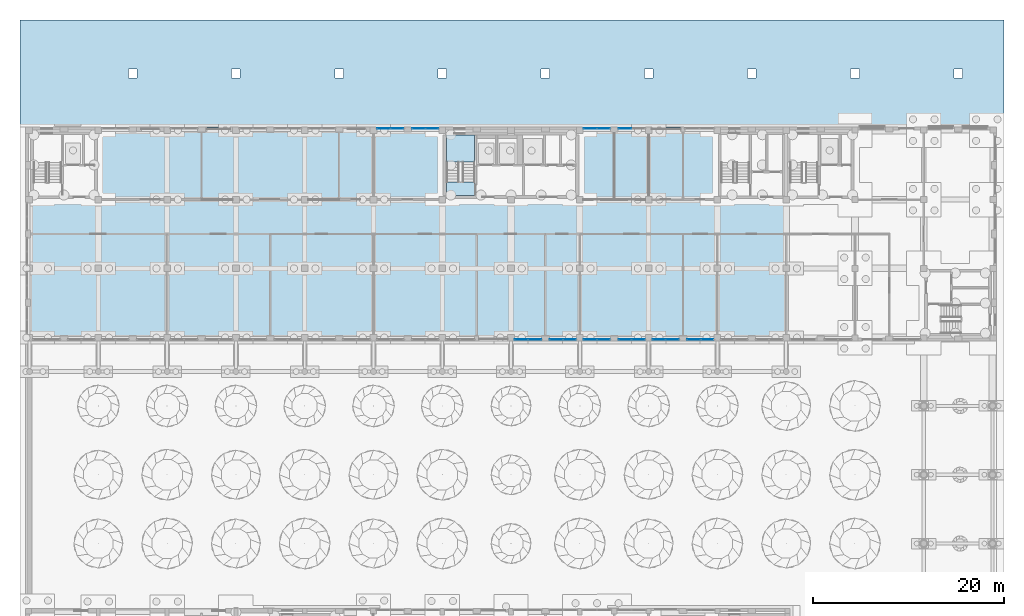
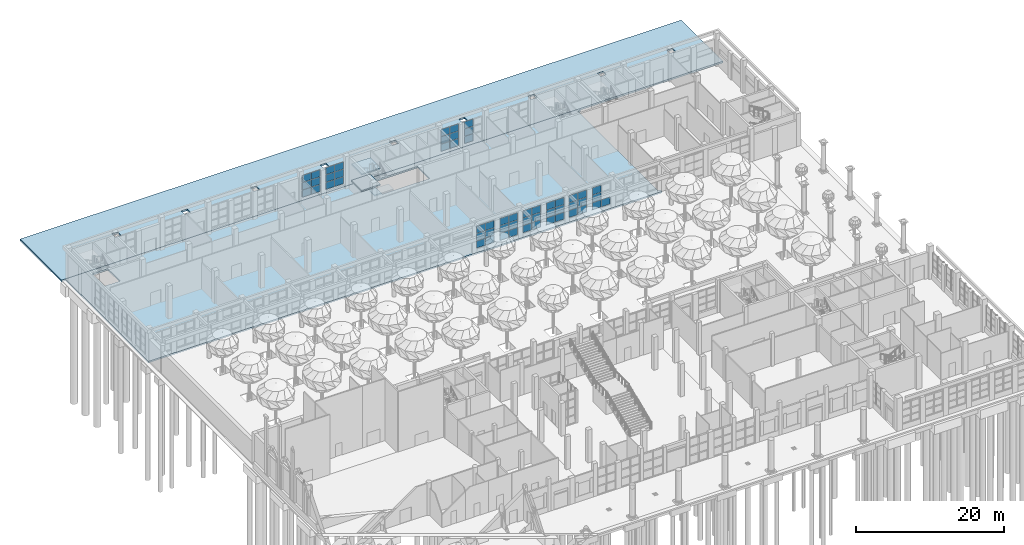
# One storey, part 38 of 80: 55 plates, 5 slabs, 11 elements without a shape of their own.
"""IFC4 building model written with IfcOpenShell, lengths in metres."""

from ifc_helpers import new_model, si_unit, direction, frame, origin, origin_2d, place, context, subcontext, project, spatial, polyline, rectangle, outline, extrude, material, layer, layer_set, type_object, element, aggregate, save


model = new_model("IFC4")

# Units and contexts
model_context = context("Model", 3, precision=1e-05, world=origin(), true_north=direction((0.0, 1.0)))
body_context = subcontext(model_context, "Body", "Model", "MODEL_VIEW")
ifc_project = project(units=[si_unit("LENGTHUNIT", "METRE"), si_unit("AREAUNIT", "SQUARE_METRE"), si_unit("VOLUMEUNIT", "CUBIC_METRE"), si_unit("PLANEANGLEUNIT", "RADIAN"), si_unit("MASSUNIT", "GRAM", prefix="KILO")], contexts=[model_context])

# Site, building, storey
site_placement = place(None, origin())
site = spatial("IfcSite", under=ifc_project, at=site_placement, CompositionType="ELEMENT")
building_placement = place(site_placement, origin())
building = spatial("IfcBuilding", under=site, at=building_placement, Name="Ussher Court Research Institute", CompositionType="ELEMENT")
storey_placement = place(building_placement, origin())
storey = spatial("IfcBuildingStorey", under=building, at=storey_placement, Name="L00", CompositionType="ELEMENT", Elevation=0.0)

# Slabs
ifc_material_1 = material(Name="Precast concrete C30/37 paving", Category="concrete")
ifc_layer_1 = layer(ifc_material_1, 0.280029296875)
ifc_layer_set_1 = layer_set([ifc_layer_1], Name="Precast concrete C30/37 paving")
slab_type_1 = type_object("IfcSlabType", Name="External paving slab 280 lorry yard", PredefinedType="BASESLAB", material=ifc_layer_set_1)
slab_1_placement = place(storey_placement, frame((0.0, 0.0, -0.280029296875)))
element("IfcSlab", 1, at=slab_1_placement, inside=storey, type_object=slab_type_1, Name="Service yard paving", PredefinedType="BASESLAB", context=body_context, shape_type="SweptSolid", body=[
    extrude(outline(polyline([(105.0, 102.0), (2.0, 102.0), (2.0, 90.800048828125), (2.60009765625, 90.800048828125), (10.60009765625, 90.800048828125), (45.800048828125, 90.800048828125), (61.0, 90.800048828125), (74.60009765625, 90.800048828125), (81.800048828125, 90.800048828125), (82.60009765625, 90.800048828125), (89.800048828125, 90.800048828125), (104.199951171875, 90.800048828125), (105.0, 90.800048828125), (105.0, 102.0)]), holes=[polyline([(13.35009765625, 96.85009765625), (14.25, 96.85009765625), (14.25, 95.949951171875), (13.35009765625, 95.949951171875), (13.35009765625, 96.85009765625)]), polyline([(24.14990234375, 96.85009765625), (25.050048828125, 96.85009765625), (25.050048828125, 95.949951171875), (24.14990234375, 95.949951171875), (24.14990234375, 96.85009765625)]), polyline([(34.949951171875, 96.85009765625), (35.85009765625, 96.85009765625), (35.85009765625, 95.949951171875), (34.949951171875, 95.949951171875), (34.949951171875, 96.85009765625)]), polyline([(45.75, 96.85009765625), (46.64990234375, 96.85009765625), (46.64990234375, 95.949951171875), (45.75, 95.949951171875), (45.75, 96.85009765625)]), polyline([(56.550048828125, 96.85009765625), (57.449951171875, 96.85009765625), (57.449951171875, 95.949951171875), (56.550048828125, 95.949951171875), (56.550048828125, 96.85009765625)]), polyline([(67.35009765625, 96.85009765625), (68.25, 96.85009765625), (68.25, 95.949951171875), (67.35009765625, 95.949951171875), (67.35009765625, 96.85009765625)]), polyline([(78.14990234375, 96.85009765625), (79.050048828125, 96.85009765625), (79.050048828125, 95.949951171875), (78.14990234375, 95.949951171875), (78.14990234375, 96.85009765625)]), polyline([(89.85009765625, 96.85009765625), (89.85009765625, 95.949951171875), (88.949951171875, 95.949951171875), (88.949951171875, 96.85009765625), (89.85009765625, 96.85009765625)]), polyline([(100.64990234375, 96.85009765625), (100.64990234375, 95.949951171875), (99.75, 95.949951171875), (99.75, 96.85009765625), (100.64990234375, 96.85009765625)])]), origin(), (0.0, 0.0, 1.0), 0.280029296875),
])
ifc_material_2 = material(Name="Concrete C35/45", Category="concrete")
ifc_layer_2 = layer(ifc_material_2, 0.25)
ifc_layer_set_2 = layer_set([ifc_layer_2], Name="Concrete C35/45")
slab_type_2 = type_object("IfcSlabType", Name="Ground slab 250", PredefinedType="BASESLAB", material=ifc_layer_set_2)
slab_2_placement = place(storey_placement, frame((0.0, 0.0, -0.25)))
element("IfcSlab", 2, at=slab_2_placement, inside=storey, type_object=slab_type_2, Name="GS250 V5 L00-01", PredefinedType="BASESLAB", context=body_context, shape_type="SweptSolid", body=[
    extrude(outline(polyline([(82.60009765625, 90.800048828125), (2.60009765625, 90.800048828125), (2.60009765625, 68.39990234375), (82.60009765625, 68.39990234375), (82.60009765625, 68.800048828125), (82.199951171875, 68.800048828125), (82.199951171875, 90.39990234375), (82.60009765625, 90.39990234375), (82.60009765625, 90.800048828125)]), holes=[polyline([(57.0, 89.949951171875), (57.0, 86.699951171875), (49.60009765625, 86.699951171875), (49.60009765625, 89.949951171875), (57.0, 89.949951171875)]), polyline([(8.75, 90.0), (8.75, 86.699951171875), (6.35009765625, 86.699951171875), (6.35009765625, 90.0), (8.75, 90.0)])]), origin(), (0.0, 0.0, 1.0), 0.25),
])

# Curtain wall, plates
ifc_material_3 = material(Name="Bronze anodised aluminium with laminated safety glass", Category="aluminium")
ifc_layer_3 = layer(ifc_material_3, 0.1201171875)
ifc_layer_set_3 = layer_set([ifc_layer_3], Name="Bronze anodised aluminium with laminated safety glass")
curtain_wall_type = type_object("IfcCurtainWallType", Name="Curtain wall dry laboratory base storefront", PredefinedType="NOTDEFINED", material=ifc_layer_set_3)
curtain_wall_1_placement = place(storey_placement, origin())
curtain_wall_1 = element("IfcCurtainWall", 3, at=curtain_wall_1_placement, inside=storey, type_object=curtain_wall_type, Name="Curtain wall CW4 L00", PredefinedType="NOTDEFINED")
ifc_material_4 = material(Name="Laminated safety glass", Category="glass")
ifc_layer_4 = layer(ifc_material_4, 0.02099609375)
ifc_layer_set_4 = layer_set([ifc_layer_4], Name="Laminated safety glass")
plate_type = type_object("IfcPlateType", Name="Laminated safety glazing panel 21 mm", PredefinedType="CURTAIN_PANEL", material=ifc_layer_set_4)
plate_1_placement = place(storey_placement, frame((40.077392578125, 90.64990234375, 0.66015625), z_axis=(0.0, 0.0, 1.0), x_axis=(1.0, 0.0, 0.0)))
plate_1 = element("IfcPlate", 4, at=plate_1_placement, type_object=plate_type, Name="CW4 panel 1.1", PredefinedType="CURTAIN_PANEL", context=body_context, shape_type="SweptSolid", body=[
    extrude(rectangle(XDim=1.3349609375, YDim=0.02099609375, at=origin_2d()), origin(), (0.0, 0.0, 1.0), 1.143310546875),
])
plate_2_placement = place(storey_placement, frame((40.077392578125, 90.64990234375, 1.86328125), z_axis=(0.0, 0.0, 1.0), x_axis=(1.0, 0.0, 0.0)))
plate_2 = element("IfcPlate", 5, at=plate_2_placement, type_object=plate_type, Name="CW4 panel 1.2", PredefinedType="CURTAIN_PANEL", context=body_context, shape_type="SweptSolid", body=[
    extrude(rectangle(XDim=1.3349609375, YDim=0.02099609375, at=origin_2d()), origin(), (0.0, 0.0, 1.0), 1.17333984375),
])
plate_3_placement = place(storey_placement, frame((40.077392578125, 90.64990234375, 3.0966796875), z_axis=(0.0, 0.0, 1.0), x_axis=(1.0, 0.0, 0.0)))
plate_3 = element("IfcPlate", 6, at=plate_3_placement, type_object=plate_type, Name="CW4 panel 1.3", PredefinedType="CURTAIN_PANEL", context=body_context, shape_type="SweptSolid", body=[
    extrude(rectangle(XDim=1.3349609375, YDim=0.02099609375, at=origin_2d()), origin(), (0.0, 0.0, 1.0), 1.143310546875),
])
plate_4_placement = place(storey_placement, frame((41.472412109375, 90.64990234375, 0.66015625), z_axis=(0.0, 0.0, 1.0), x_axis=(1.0, 0.0, 0.0)))
plate_4 = element("IfcPlate", 7, at=plate_4_placement, type_object=plate_type, Name="CW4 panel 2.1", PredefinedType="CURTAIN_PANEL", context=body_context, shape_type="SweptSolid", body=[
    extrude(rectangle(XDim=1.3349609375, YDim=0.02099609375, at=origin_2d()), origin(), (0.0, 0.0, 1.0), 1.143310546875),
])
plate_5_placement = place(storey_placement, frame((41.472412109375, 90.64990234375, 1.86328125), z_axis=(0.0, 0.0, 1.0), x_axis=(1.0, 0.0, 0.0)))
plate_5 = element("IfcPlate", 8, at=plate_5_placement, type_object=plate_type, Name="CW4 panel 2.2", PredefinedType="CURTAIN_PANEL", context=body_context, shape_type="SweptSolid", body=[
    extrude(rectangle(XDim=1.3349609375, YDim=0.02099609375, at=origin_2d()), origin(), (0.0, 0.0, 1.0), 1.17333984375),
])
plate_6_placement = place(storey_placement, frame((41.472412109375, 90.64990234375, 3.0966796875), z_axis=(0.0, 0.0, 1.0), x_axis=(1.0, 0.0, 0.0)))
plate_6 = element("IfcPlate", 9, at=plate_6_placement, type_object=plate_type, Name="CW4 panel 2.3", PredefinedType="CURTAIN_PANEL", context=body_context, shape_type="SweptSolid", body=[
    extrude(rectangle(XDim=1.3349609375, YDim=0.02099609375, at=origin_2d()), origin(), (0.0, 0.0, 1.0), 1.143310546875),
])
aggregate(curtain_wall_1, [plate_1, plate_2, plate_3, plate_4, plate_5, plate_6])

curtain_wall_2_placement = place(storey_placement, origin())
curtain_wall_2 = element("IfcCurtainWall", 10, at=curtain_wall_2_placement, inside=storey, type_object=curtain_wall_type, Name="Curtain wall CW4 L00", PredefinedType="NOTDEFINED")
plate_7_placement = place(storey_placement, frame((43.7275390625, 90.64990234375, 0.66015625), z_axis=(0.0, 0.0, 1.0), x_axis=(1.0, 0.0, 0.0)))
plate_7 = element("IfcPlate", 11, at=plate_7_placement, type_object=plate_type, Name="CW4 panel 1.1", PredefinedType="CURTAIN_PANEL", context=body_context, shape_type="SweptSolid", body=[
    extrude(rectangle(XDim=1.3349609375, YDim=0.02099609375, at=origin_2d()), origin(), (0.0, 0.0, 1.0), 1.143310546875),
])
plate_8_placement = place(storey_placement, frame((43.7275390625, 90.64990234375, 1.86328125), z_axis=(0.0, 0.0, 1.0), x_axis=(1.0, 0.0, 0.0)))
plate_8 = element("IfcPlate", 12, at=plate_8_placement, type_object=plate_type, Name="CW4 panel 1.2", PredefinedType="CURTAIN_PANEL", context=body_context, shape_type="SweptSolid", body=[
    extrude(rectangle(XDim=1.3349609375, YDim=0.02099609375, at=origin_2d()), origin(), (0.0, 0.0, 1.0), 1.17333984375),
])
plate_9_placement = place(storey_placement, frame((43.7275390625, 90.64990234375, 3.0966796875), z_axis=(0.0, 0.0, 1.0), x_axis=(1.0, 0.0, 0.0)))
plate_9 = element("IfcPlate", 13, at=plate_9_placement, type_object=plate_type, Name="CW4 panel 1.3", PredefinedType="CURTAIN_PANEL", context=body_context, shape_type="SweptSolid", body=[
    extrude(rectangle(XDim=1.3349609375, YDim=0.02099609375, at=origin_2d()), origin(), (0.0, 0.0, 1.0), 1.143310546875),
])
plate_10_placement = place(storey_placement, frame((45.12255859375, 90.64990234375, 0.66015625), z_axis=(0.0, 0.0, 1.0), x_axis=(1.0, 0.0, 0.0)))
plate_10 = element("IfcPlate", 14, at=plate_10_placement, type_object=plate_type, Name="CW4 panel 2.1", PredefinedType="CURTAIN_PANEL", context=body_context, shape_type="SweptSolid", body=[
    extrude(rectangle(XDim=1.3349609375, YDim=0.02099609375, at=origin_2d()), origin(), (0.0, 0.0, 1.0), 1.143310546875),
])
plate_11_placement = place(storey_placement, frame((45.12255859375, 90.64990234375, 1.86328125), z_axis=(0.0, 0.0, 1.0), x_axis=(1.0, 0.0, 0.0)))
plate_11 = element("IfcPlate", 15, at=plate_11_placement, type_object=plate_type, Name="CW4 panel 2.2", PredefinedType="CURTAIN_PANEL", context=body_context, shape_type="SweptSolid", body=[
    extrude(rectangle(XDim=1.3349609375, YDim=0.02099609375, at=origin_2d()), origin(), (0.0, 0.0, 1.0), 1.17333984375),
])
plate_12_placement = place(storey_placement, frame((45.12255859375, 90.64990234375, 3.0966796875), z_axis=(0.0, 0.0, 1.0), x_axis=(1.0, 0.0, 0.0)))
plate_12 = element("IfcPlate", 16, at=plate_12_placement, type_object=plate_type, Name="CW4 panel 2.3", PredefinedType="CURTAIN_PANEL", context=body_context, shape_type="SweptSolid", body=[
    extrude(rectangle(XDim=1.3349609375, YDim=0.02099609375, at=origin_2d()), origin(), (0.0, 0.0, 1.0), 1.143310546875),
])
aggregate(curtain_wall_2, [plate_7, plate_8, plate_9, plate_10, plate_11, plate_12])

curtain_wall_3_placement = place(storey_placement, origin())
curtain_wall_3 = element("IfcCurtainWall", 17, at=curtain_wall_3_placement, inside=storey, type_object=curtain_wall_type, Name="Curtain wall CW4 L00", PredefinedType="NOTDEFINED")
plate_13_placement = place(storey_placement, frame((61.677490234375, 90.64990234375, 0.66015625), z_axis=(0.0, 0.0, 1.0), x_axis=(1.0, 0.0, 0.0)))
plate_13 = element("IfcPlate", 18, at=plate_13_placement, type_object=plate_type, Name="CW4 panel 1.1", PredefinedType="CURTAIN_PANEL", context=body_context, shape_type="SweptSolid", body=[
    extrude(rectangle(XDim=1.3349609375, YDim=0.02099609375, at=origin_2d()), origin(), (0.0, 0.0, 1.0), 1.143310546875),
])
plate_14_placement = place(storey_placement, frame((61.677490234375, 90.64990234375, 1.86328125), z_axis=(0.0, 0.0, 1.0), x_axis=(1.0, 0.0, 0.0)))
plate_14 = element("IfcPlate", 19, at=plate_14_placement, type_object=plate_type, Name="CW4 panel 1.2", PredefinedType="CURTAIN_PANEL", context=body_context, shape_type="SweptSolid", body=[
    extrude(rectangle(XDim=1.3349609375, YDim=0.02099609375, at=origin_2d()), origin(), (0.0, 0.0, 1.0), 1.17333984375),
])
plate_15_placement = place(storey_placement, frame((61.677490234375, 90.64990234375, 3.0966796875), z_axis=(0.0, 0.0, 1.0), x_axis=(1.0, 0.0, 0.0)))
plate_15 = element("IfcPlate", 20, at=plate_15_placement, type_object=plate_type, Name="CW4 panel 1.3", PredefinedType="CURTAIN_PANEL", context=body_context, shape_type="SweptSolid", body=[
    extrude(rectangle(XDim=1.3349609375, YDim=0.02099609375, at=origin_2d()), origin(), (0.0, 0.0, 1.0), 1.143310546875),
])
plate_16_placement = place(storey_placement, frame((63.072509765625, 90.64990234375, 0.66015625), z_axis=(0.0, 0.0, 1.0), x_axis=(1.0, 0.0, 0.0)))
plate_16 = element("IfcPlate", 21, at=plate_16_placement, type_object=plate_type, Name="CW4 panel 2.1", PredefinedType="CURTAIN_PANEL", context=body_context, shape_type="SweptSolid", body=[
    extrude(rectangle(XDim=1.3349609375, YDim=0.02099609375, at=origin_2d()), origin(), (0.0, 0.0, 1.0), 1.143310546875),
])
plate_17_placement = place(storey_placement, frame((63.072509765625, 90.64990234375, 1.86328125), z_axis=(0.0, 0.0, 1.0), x_axis=(1.0, 0.0, 0.0)))
plate_17 = element("IfcPlate", 22, at=plate_17_placement, type_object=plate_type, Name="CW4 panel 2.2", PredefinedType="CURTAIN_PANEL", context=body_context, shape_type="SweptSolid", body=[
    extrude(rectangle(XDim=1.3349609375, YDim=0.02099609375, at=origin_2d()), origin(), (0.0, 0.0, 1.0), 1.17333984375),
])
plate_18_placement = place(storey_placement, frame((63.072509765625, 90.64990234375, 3.0966796875), z_axis=(0.0, 0.0, 1.0), x_axis=(1.0, 0.0, 0.0)))
plate_18 = element("IfcPlate", 23, at=plate_18_placement, type_object=plate_type, Name="CW4 panel 2.3", PredefinedType="CURTAIN_PANEL", context=body_context, shape_type="SweptSolid", body=[
    extrude(rectangle(XDim=1.3349609375, YDim=0.02099609375, at=origin_2d()), origin(), (0.0, 0.0, 1.0), 1.143310546875),
])
aggregate(curtain_wall_3, [plate_13, plate_14, plate_15, plate_16, plate_17, plate_18])

curtain_wall_4_placement = place(storey_placement, origin())
curtain_wall_4 = element("IfcCurtainWall", 24, at=curtain_wall_4_placement, inside=storey, type_object=curtain_wall_type, Name="Curtain wall CW4 L00", PredefinedType="NOTDEFINED")
plate_19_placement = place(storey_placement, frame((65.327392578125, 90.64990234375, 0.66015625), z_axis=(0.0, 0.0, 1.0), x_axis=(1.0, 0.0, 0.0)))
plate_19 = element("IfcPlate", 25, at=plate_19_placement, type_object=plate_type, Name="CW4 panel 1.1", PredefinedType="CURTAIN_PANEL", context=body_context, shape_type="SweptSolid", body=[
    extrude(rectangle(XDim=1.3349609375, YDim=0.02099609375, at=origin_2d()), origin(), (0.0, 0.0, 1.0), 1.143310546875),
])
plate_20_placement = place(storey_placement, frame((65.327392578125, 90.64990234375, 1.86328125), z_axis=(0.0, 0.0, 1.0), x_axis=(1.0, 0.0, 0.0)))
plate_20 = element("IfcPlate", 26, at=plate_20_placement, type_object=plate_type, Name="CW4 panel 1.2", PredefinedType="CURTAIN_PANEL", context=body_context, shape_type="SweptSolid", body=[
    extrude(rectangle(XDim=1.3349609375, YDim=0.02099609375, at=origin_2d()), origin(), (0.0, 0.0, 1.0), 1.17333984375),
])
plate_21_placement = place(storey_placement, frame((65.327392578125, 90.64990234375, 3.0966796875), z_axis=(0.0, 0.0, 1.0), x_axis=(1.0, 0.0, 0.0)))
plate_21 = element("IfcPlate", 27, at=plate_21_placement, type_object=plate_type, Name="CW4 panel 1.3", PredefinedType="CURTAIN_PANEL", context=body_context, shape_type="SweptSolid", body=[
    extrude(rectangle(XDim=1.3349609375, YDim=0.02099609375, at=origin_2d()), origin(), (0.0, 0.0, 1.0), 1.143310546875),
])
aggregate(curtain_wall_4, [plate_19, plate_20, plate_21])

curtain_wall_5_placement = place(storey_placement, origin())
curtain_wall_5 = element("IfcCurtainWall", 28, at=curtain_wall_5_placement, inside=storey, type_object=curtain_wall_type, Name="Curtain wall CW4 L00", PredefinedType="NOTDEFINED")
plate_22_placement = place(storey_placement, frame((73.922607421875, 68.550048828125, 0.66015625), z_axis=(0.0, 0.0, 1.0), x_axis=(-1.0, 0.0, 0.0)))
plate_22 = element("IfcPlate", 29, at=plate_22_placement, type_object=plate_type, Name="CW4 panel 1.1", PredefinedType="CURTAIN_PANEL", context=body_context, shape_type="SweptSolid", body=[
    extrude(rectangle(XDim=1.3349609375, YDim=0.02099609375, at=origin_2d()), origin(), (0.0, 0.0, 1.0), 1.143310546875),
])
plate_23_placement = place(storey_placement, frame((72.527587890625, 68.550048828125, 0.66015625), z_axis=(0.0, 0.0, 1.0), x_axis=(-1.0, 0.0, 0.0)))
plate_23 = element("IfcPlate", 30, at=plate_23_placement, type_object=plate_type, Name="CW4 panel 2.1", PredefinedType="CURTAIN_PANEL", context=body_context, shape_type="SweptSolid", body=[
    extrude(rectangle(XDim=1.3349609375, YDim=0.02099609375, at=origin_2d()), origin(), (0.0, 0.0, 1.0), 1.143310546875),
])
plate_24_placement = place(storey_placement, frame((72.527587890625, 68.550048828125, 1.86328125), z_axis=(0.0, 0.0, 1.0), x_axis=(-1.0, 0.0, 0.0)))
plate_24 = element("IfcPlate", 31, at=plate_24_placement, type_object=plate_type, Name="CW4 panel 2.2", PredefinedType="CURTAIN_PANEL", context=body_context, shape_type="SweptSolid", body=[
    extrude(rectangle(XDim=1.3349609375, YDim=0.02099609375, at=origin_2d()), origin(), (0.0, 0.0, 1.0), 1.17333984375),
])
plate_25_placement = place(storey_placement, frame((72.527587890625, 68.550048828125, 3.0966796875), z_axis=(0.0, 0.0, 1.0), x_axis=(-1.0, 0.0, 0.0)))
plate_25 = element("IfcPlate", 32, at=plate_25_placement, type_object=plate_type, Name="CW4 panel 2.3", PredefinedType="CURTAIN_PANEL", context=body_context, shape_type="SweptSolid", body=[
    extrude(rectangle(XDim=1.3349609375, YDim=0.02099609375, at=origin_2d()), origin(), (0.0, 0.0, 1.0), 1.143310546875),
])
aggregate(curtain_wall_5, [plate_22, plate_23, plate_24, plate_25])

curtain_wall_6_placement = place(storey_placement, origin())
curtain_wall_6 = element("IfcCurtainWall", 33, at=curtain_wall_6_placement, inside=storey, type_object=curtain_wall_type, Name="Curtain wall CW4 L00", PredefinedType="NOTDEFINED")
plate_26_placement = place(storey_placement, frame((70.2724609375, 68.550048828125, 0.66015625), z_axis=(0.0, 0.0, 1.0), x_axis=(-1.0, 0.0, 0.0)))
plate_26 = element("IfcPlate", 34, at=plate_26_placement, type_object=plate_type, Name="CW4 panel 1.1", PredefinedType="CURTAIN_PANEL", context=body_context, shape_type="SweptSolid", body=[
    extrude(rectangle(XDim=1.3349609375, YDim=0.02099609375, at=origin_2d()), origin(), (0.0, 0.0, 1.0), 1.143310546875),
])
plate_27_placement = place(storey_placement, frame((70.2724609375, 68.550048828125, 1.86328125), z_axis=(0.0, 0.0, 1.0), x_axis=(-1.0, 0.0, 0.0)))
plate_27 = element("IfcPlate", 35, at=plate_27_placement, type_object=plate_type, Name="CW4 panel 1.2", PredefinedType="CURTAIN_PANEL", context=body_context, shape_type="SweptSolid", body=[
    extrude(rectangle(XDim=1.3349609375, YDim=0.02099609375, at=origin_2d()), origin(), (0.0, 0.0, 1.0), 1.17333984375),
])
plate_28_placement = place(storey_placement, frame((70.2724609375, 68.550048828125, 3.0966796875), z_axis=(0.0, 0.0, 1.0), x_axis=(-1.0, 0.0, 0.0)))
plate_28 = element("IfcPlate", 36, at=plate_28_placement, type_object=plate_type, Name="CW4 panel 1.3", PredefinedType="CURTAIN_PANEL", context=body_context, shape_type="SweptSolid", body=[
    extrude(rectangle(XDim=1.3349609375, YDim=0.02099609375, at=origin_2d()), origin(), (0.0, 0.0, 1.0), 1.143310546875),
])
plate_29_placement = place(storey_placement, frame((68.87744140625, 68.550048828125, 0.66015625), z_axis=(0.0, 0.0, 1.0), x_axis=(-1.0, 0.0, 0.0)))
plate_29 = element("IfcPlate", 37, at=plate_29_placement, type_object=plate_type, Name="CW4 panel 2.1", PredefinedType="CURTAIN_PANEL", context=body_context, shape_type="SweptSolid", body=[
    extrude(rectangle(XDim=1.3349609375, YDim=0.02099609375, at=origin_2d()), origin(), (0.0, 0.0, 1.0), 1.143310546875),
])
plate_30_placement = place(storey_placement, frame((68.87744140625, 68.550048828125, 1.86328125), z_axis=(0.0, 0.0, 1.0), x_axis=(-1.0, 0.0, 0.0)))
plate_30 = element("IfcPlate", 38, at=plate_30_placement, type_object=plate_type, Name="CW4 panel 2.2", PredefinedType="CURTAIN_PANEL", context=body_context, shape_type="SweptSolid", body=[
    extrude(rectangle(XDim=1.3349609375, YDim=0.02099609375, at=origin_2d()), origin(), (0.0, 0.0, 1.0), 1.17333984375),
])
plate_31_placement = place(storey_placement, frame((68.87744140625, 68.550048828125, 3.0966796875), z_axis=(0.0, 0.0, 1.0), x_axis=(-1.0, 0.0, 0.0)))
plate_31 = element("IfcPlate", 39, at=plate_31_placement, type_object=plate_type, Name="CW4 panel 2.3", PredefinedType="CURTAIN_PANEL", context=body_context, shape_type="SweptSolid", body=[
    extrude(rectangle(XDim=1.3349609375, YDim=0.02099609375, at=origin_2d()), origin(), (0.0, 0.0, 1.0), 1.143310546875),
])
aggregate(curtain_wall_6, [plate_26, plate_27, plate_28, plate_29, plate_30, plate_31])

curtain_wall_7_placement = place(storey_placement, origin())
curtain_wall_7 = element("IfcCurtainWall", 40, at=curtain_wall_7_placement, inside=storey, type_object=curtain_wall_type, Name="Curtain wall CW4 L00", PredefinedType="NOTDEFINED")
plate_32_placement = place(storey_placement, frame((66.722412109375, 68.550048828125, 0.66015625), z_axis=(0.0, 0.0, 1.0), x_axis=(-1.0, 0.0, 0.0)))
plate_32 = element("IfcPlate", 41, at=plate_32_placement, type_object=plate_type, Name="CW4 panel 1.1", PredefinedType="CURTAIN_PANEL", context=body_context, shape_type="SweptSolid", body=[
    extrude(rectangle(XDim=1.3349609375, YDim=0.02099609375, at=origin_2d()), origin(), (0.0, 0.0, 1.0), 1.143310546875),
])
plate_33_placement = place(storey_placement, frame((66.722412109375, 68.550048828125, 1.86328125), z_axis=(0.0, 0.0, 1.0), x_axis=(-1.0, 0.0, 0.0)))
plate_33 = element("IfcPlate", 42, at=plate_33_placement, type_object=plate_type, Name="CW4 panel 1.2", PredefinedType="CURTAIN_PANEL", context=body_context, shape_type="SweptSolid", body=[
    extrude(rectangle(XDim=1.3349609375, YDim=0.02099609375, at=origin_2d()), origin(), (0.0, 0.0, 1.0), 1.17333984375),
])
plate_34_placement = place(storey_placement, frame((66.722412109375, 68.550048828125, 3.0966796875), z_axis=(0.0, 0.0, 1.0), x_axis=(-1.0, 0.0, 0.0)))
plate_34 = element("IfcPlate", 43, at=plate_34_placement, type_object=plate_type, Name="CW4 panel 1.3", PredefinedType="CURTAIN_PANEL", context=body_context, shape_type="SweptSolid", body=[
    extrude(rectangle(XDim=1.3349609375, YDim=0.02099609375, at=origin_2d()), origin(), (0.0, 0.0, 1.0), 1.143310546875),
])
plate_35_placement = place(storey_placement, frame((65.327392578125, 68.550048828125, 0.66015625), z_axis=(0.0, 0.0, 1.0), x_axis=(-1.0, 0.0, 0.0)))
plate_35 = element("IfcPlate", 44, at=plate_35_placement, type_object=plate_type, Name="CW4 panel 2.1", PredefinedType="CURTAIN_PANEL", context=body_context, shape_type="SweptSolid", body=[
    extrude(rectangle(XDim=1.3349609375, YDim=0.02099609375, at=origin_2d()), origin(), (0.0, 0.0, 1.0), 1.143310546875),
])
plate_36_placement = place(storey_placement, frame((65.327392578125, 68.550048828125, 1.86328125), z_axis=(0.0, 0.0, 1.0), x_axis=(-1.0, 0.0, 0.0)))
plate_36 = element("IfcPlate", 45, at=plate_36_placement, type_object=plate_type, Name="CW4 panel 2.2", PredefinedType="CURTAIN_PANEL", context=body_context, shape_type="SweptSolid", body=[
    extrude(rectangle(XDim=1.3349609375, YDim=0.02099609375, at=origin_2d()), origin(), (0.0, 0.0, 1.0), 1.17333984375),
])
plate_37_placement = place(storey_placement, frame((65.327392578125, 68.550048828125, 3.0966796875), z_axis=(0.0, 0.0, 1.0), x_axis=(-1.0, 0.0, 0.0)))
plate_37 = element("IfcPlate", 46, at=plate_37_placement, type_object=plate_type, Name="CW4 panel 2.3", PredefinedType="CURTAIN_PANEL", context=body_context, shape_type="SweptSolid", body=[
    extrude(rectangle(XDim=1.3349609375, YDim=0.02099609375, at=origin_2d()), origin(), (0.0, 0.0, 1.0), 1.143310546875),
])
aggregate(curtain_wall_7, [plate_32, plate_33, plate_34, plate_35, plate_36, plate_37])

curtain_wall_8_placement = place(storey_placement, origin())
curtain_wall_8 = element("IfcCurtainWall", 47, at=curtain_wall_8_placement, inside=storey, type_object=curtain_wall_type, Name="Curtain wall CW4 L00", PredefinedType="NOTDEFINED")
plate_38_placement = place(storey_placement, frame((63.072509765625, 68.550048828125, 0.66015625), z_axis=(0.0, 0.0, 1.0), x_axis=(-1.0, 0.0, 0.0)))
plate_38 = element("IfcPlate", 48, at=plate_38_placement, type_object=plate_type, Name="CW4 panel 1.1", PredefinedType="CURTAIN_PANEL", context=body_context, shape_type="SweptSolid", body=[
    extrude(rectangle(XDim=1.3349609375, YDim=0.02099609375, at=origin_2d()), origin(), (0.0, 0.0, 1.0), 1.143310546875),
])
plate_39_placement = place(storey_placement, frame((63.072509765625, 68.550048828125, 1.86328125), z_axis=(0.0, 0.0, 1.0), x_axis=(-1.0, 0.0, 0.0)))
plate_39 = element("IfcPlate", 49, at=plate_39_placement, type_object=plate_type, Name="CW4 panel 1.2", PredefinedType="CURTAIN_PANEL", context=body_context, shape_type="SweptSolid", body=[
    extrude(rectangle(XDim=1.3349609375, YDim=0.02099609375, at=origin_2d()), origin(), (0.0, 0.0, 1.0), 1.17333984375),
])
plate_40_placement = place(storey_placement, frame((63.072509765625, 68.550048828125, 3.0966796875), z_axis=(0.0, 0.0, 1.0), x_axis=(-1.0, 0.0, 0.0)))
plate_40 = element("IfcPlate", 50, at=plate_40_placement, type_object=plate_type, Name="CW4 panel 1.3", PredefinedType="CURTAIN_PANEL", context=body_context, shape_type="SweptSolid", body=[
    extrude(rectangle(XDim=1.3349609375, YDim=0.02099609375, at=origin_2d()), origin(), (0.0, 0.0, 1.0), 1.143310546875),
])
plate_41_placement = place(storey_placement, frame((61.677490234375, 68.550048828125, 0.66015625), z_axis=(0.0, 0.0, 1.0), x_axis=(-1.0, 0.0, 0.0)))
plate_41 = element("IfcPlate", 51, at=plate_41_placement, type_object=plate_type, Name="CW4 panel 2.1", PredefinedType="CURTAIN_PANEL", context=body_context, shape_type="SweptSolid", body=[
    extrude(rectangle(XDim=1.3349609375, YDim=0.02099609375, at=origin_2d()), origin(), (0.0, 0.0, 1.0), 1.143310546875),
])
plate_42_placement = place(storey_placement, frame((61.677490234375, 68.550048828125, 1.86328125), z_axis=(0.0, 0.0, 1.0), x_axis=(-1.0, 0.0, 0.0)))
plate_42 = element("IfcPlate", 52, at=plate_42_placement, type_object=plate_type, Name="CW4 panel 2.2", PredefinedType="CURTAIN_PANEL", context=body_context, shape_type="SweptSolid", body=[
    extrude(rectangle(XDim=1.3349609375, YDim=0.02099609375, at=origin_2d()), origin(), (0.0, 0.0, 1.0), 1.17333984375),
])
plate_43_placement = place(storey_placement, frame((61.677490234375, 68.550048828125, 3.0966796875), z_axis=(0.0, 0.0, 1.0), x_axis=(-1.0, 0.0, 0.0)))
plate_43 = element("IfcPlate", 53, at=plate_43_placement, type_object=plate_type, Name="CW4 panel 2.3", PredefinedType="CURTAIN_PANEL", context=body_context, shape_type="SweptSolid", body=[
    extrude(rectangle(XDim=1.3349609375, YDim=0.02099609375, at=origin_2d()), origin(), (0.0, 0.0, 1.0), 1.143310546875),
])
aggregate(curtain_wall_8, [plate_38, plate_39, plate_40, plate_41, plate_42, plate_43])

curtain_wall_9_placement = place(storey_placement, origin())
curtain_wall_9 = element("IfcCurtainWall", 54, at=curtain_wall_9_placement, inside=storey, type_object=curtain_wall_type, Name="Curtain wall CW4 L00", PredefinedType="NOTDEFINED")
plate_44_placement = place(storey_placement, frame((59.5224609375, 68.550048828125, 0.66015625), z_axis=(0.0, 0.0, 1.0), x_axis=(-1.0, 0.0, 0.0)))
plate_44 = element("IfcPlate", 55, at=plate_44_placement, type_object=plate_type, Name="CW4 panel 1.1", PredefinedType="CURTAIN_PANEL", context=body_context, shape_type="SweptSolid", body=[
    extrude(rectangle(XDim=1.3349609375, YDim=0.02099609375, at=origin_2d()), origin(), (0.0, 0.0, 1.0), 1.143310546875),
])
plate_45_placement = place(storey_placement, frame((59.5224609375, 68.550048828125, 1.86328125), z_axis=(0.0, 0.0, 1.0), x_axis=(-1.0, 0.0, 0.0)))
plate_45 = element("IfcPlate", 56, at=plate_45_placement, type_object=plate_type, Name="CW4 panel 1.2", PredefinedType="CURTAIN_PANEL", context=body_context, shape_type="SweptSolid", body=[
    extrude(rectangle(XDim=1.3349609375, YDim=0.02099609375, at=origin_2d()), origin(), (0.0, 0.0, 1.0), 1.17333984375),
])
plate_46_placement = place(storey_placement, frame((59.5224609375, 68.550048828125, 3.0966796875), z_axis=(0.0, 0.0, 1.0), x_axis=(-1.0, 0.0, 0.0)))
plate_46 = element("IfcPlate", 57, at=plate_46_placement, type_object=plate_type, Name="CW4 panel 1.3", PredefinedType="CURTAIN_PANEL", context=body_context, shape_type="SweptSolid", body=[
    extrude(rectangle(XDim=1.3349609375, YDim=0.02099609375, at=origin_2d()), origin(), (0.0, 0.0, 1.0), 1.143310546875),
])
plate_47_placement = place(storey_placement, frame((58.12744140625, 68.550048828125, 0.66015625), z_axis=(0.0, 0.0, 1.0), x_axis=(-1.0, 0.0, 0.0)))
plate_47 = element("IfcPlate", 58, at=plate_47_placement, type_object=plate_type, Name="CW4 panel 2.1", PredefinedType="CURTAIN_PANEL", context=body_context, shape_type="SweptSolid", body=[
    extrude(rectangle(XDim=1.3349609375, YDim=0.02099609375, at=origin_2d()), origin(), (0.0, 0.0, 1.0), 1.143310546875),
])
plate_48_placement = place(storey_placement, frame((58.12744140625, 68.550048828125, 1.86328125), z_axis=(0.0, 0.0, 1.0), x_axis=(-1.0, 0.0, 0.0)))
plate_48 = element("IfcPlate", 59, at=plate_48_placement, type_object=plate_type, Name="CW4 panel 2.2", PredefinedType="CURTAIN_PANEL", context=body_context, shape_type="SweptSolid", body=[
    extrude(rectangle(XDim=1.3349609375, YDim=0.02099609375, at=origin_2d()), origin(), (0.0, 0.0, 1.0), 1.17333984375),
])
plate_49_placement = place(storey_placement, frame((58.12744140625, 68.550048828125, 3.0966796875), z_axis=(0.0, 0.0, 1.0), x_axis=(-1.0, 0.0, 0.0)))
plate_49 = element("IfcPlate", 60, at=plate_49_placement, type_object=plate_type, Name="CW4 panel 2.3", PredefinedType="CURTAIN_PANEL", context=body_context, shape_type="SweptSolid", body=[
    extrude(rectangle(XDim=1.3349609375, YDim=0.02099609375, at=origin_2d()), origin(), (0.0, 0.0, 1.0), 1.143310546875),
])
aggregate(curtain_wall_9, [plate_44, plate_45, plate_46, plate_47, plate_48, plate_49])

curtain_wall_10_placement = place(storey_placement, origin())
curtain_wall_10 = element("IfcCurtainWall", 61, at=curtain_wall_10_placement, inside=storey, type_object=curtain_wall_type, Name="Curtain wall CW4 L00", PredefinedType="NOTDEFINED")
plate_50_placement = place(storey_placement, frame((55.87255859375, 68.550048828125, 0.66015625), z_axis=(0.0, 0.0, 1.0), x_axis=(-1.0, 0.0, 0.0)))
plate_50 = element("IfcPlate", 62, at=plate_50_placement, type_object=plate_type, Name="CW4 panel 1.1", PredefinedType="CURTAIN_PANEL", context=body_context, shape_type="SweptSolid", body=[
    extrude(rectangle(XDim=1.3349609375, YDim=0.02099609375, at=origin_2d()), origin(), (0.0, 0.0, 1.0), 1.143310546875),
])
plate_51_placement = place(storey_placement, frame((55.87255859375, 68.550048828125, 1.86328125), z_axis=(0.0, 0.0, 1.0), x_axis=(-1.0, 0.0, 0.0)))
plate_51 = element("IfcPlate", 63, at=plate_51_placement, type_object=plate_type, Name="CW4 panel 1.2", PredefinedType="CURTAIN_PANEL", context=body_context, shape_type="SweptSolid", body=[
    extrude(rectangle(XDim=1.3349609375, YDim=0.02099609375, at=origin_2d()), origin(), (0.0, 0.0, 1.0), 1.17333984375),
])
plate_52_placement = place(storey_placement, frame((55.87255859375, 68.550048828125, 3.0966796875), z_axis=(0.0, 0.0, 1.0), x_axis=(-1.0, 0.0, 0.0)))
plate_52 = element("IfcPlate", 64, at=plate_52_placement, type_object=plate_type, Name="CW4 panel 1.3", PredefinedType="CURTAIN_PANEL", context=body_context, shape_type="SweptSolid", body=[
    extrude(rectangle(XDim=1.3349609375, YDim=0.02099609375, at=origin_2d()), origin(), (0.0, 0.0, 1.0), 1.143310546875),
])
plate_53_placement = place(storey_placement, frame((54.4775390625, 68.550048828125, 0.66015625), z_axis=(0.0, 0.0, 1.0), x_axis=(-1.0, 0.0, 0.0)))
plate_53 = element("IfcPlate", 65, at=plate_53_placement, type_object=plate_type, Name="CW4 panel 2.1", PredefinedType="CURTAIN_PANEL", context=body_context, shape_type="SweptSolid", body=[
    extrude(rectangle(XDim=1.3349609375, YDim=0.02099609375, at=origin_2d()), origin(), (0.0, 0.0, 1.0), 1.143310546875),
])
plate_54_placement = place(storey_placement, frame((54.4775390625, 68.550048828125, 1.86328125), z_axis=(0.0, 0.0, 1.0), x_axis=(-1.0, 0.0, 0.0)))
plate_54 = element("IfcPlate", 66, at=plate_54_placement, type_object=plate_type, Name="CW4 panel 2.2", PredefinedType="CURTAIN_PANEL", context=body_context, shape_type="SweptSolid", body=[
    extrude(rectangle(XDim=1.3349609375, YDim=0.02099609375, at=origin_2d()), origin(), (0.0, 0.0, 1.0), 1.17333984375),
])
plate_55_placement = place(storey_placement, frame((54.4775390625, 68.550048828125, 3.0966796875), z_axis=(0.0, 0.0, 1.0), x_axis=(-1.0, 0.0, 0.0)))
plate_55 = element("IfcPlate", 67, at=plate_55_placement, type_object=plate_type, Name="CW4 panel 2.3", PredefinedType="CURTAIN_PANEL", context=body_context, shape_type="SweptSolid", body=[
    extrude(rectangle(XDim=1.3349609375, YDim=0.02099609375, at=origin_2d()), origin(), (0.0, 0.0, 1.0), 1.143310546875),
])
aggregate(curtain_wall_10, [plate_50, plate_51, plate_52, plate_53, plate_54, plate_55])

# Stair, slabs
ifc_material_5 = material(Name="Concrete C35/45", Category="concrete")
stair_type = type_object("IfcStairType", Name="Core stair 32 risers 169 mm x 300 going 1280 wide", PredefinedType="HALF_TURN_STAIR", material=ifc_material_5)
stair_placement = place(storey_placement, origin())
stair = element("IfcStair", 68, at=stair_placement, inside=storey, type_object=stair_type, Name="L00 Stair D2", PredefinedType="HALF_TURN_STAIR")
ifc_material_6 = material(Name="Concrete C35/45", Category="concrete")
ifc_layer_5 = layer(ifc_material_6, 0.199951171875)
ifc_layer_set_5 = layer_set([ifc_layer_5], Name="Concrete C35/45")
slab_type_3 = type_object("IfcSlabType", Name="Stair landing 200 RC", PredefinedType="LANDING", material=ifc_layer_set_5)
slab_3_placement = place(storey_placement, frame((0.0, 0.0, 1.14990234375)))
slab_3 = element("IfcSlab", 69, at=slab_3_placement, type_object=slab_type_3, Name="D2 landing 1", PredefinedType="LANDING", context=body_context, shape_type="SweptSolid", body=[
    extrude(outline(polyline([(49.60009765625, 87.14990234375), (49.60009765625, 89.949951171875), (46.64990234375, 89.949951171875), (46.64990234375, 87.14990234375), (49.60009765625, 87.14990234375)])), origin(), (0.0, 0.0, 1.0), 0.2001953125),
])
slab_4_placement = place(storey_placement, frame((0.0, 0.0, 2.5)))
slab_4 = element("IfcSlab", 70, at=slab_4_placement, type_object=slab_type_3, Name="D2 landing 2", PredefinedType="LANDING", context=body_context, shape_type="SweptSolid", body=[
    extrude(outline(polyline([(49.60009765625, 83.64990234375), (49.60009765625, 85.050048828125), (46.64990234375, 85.050048828125), (46.64990234375, 83.64990234375), (49.60009765625, 83.64990234375)])), origin(), (0.0, 0.0, 1.0), 0.199951171875),
])
slab_5_placement = place(storey_placement, frame((0.0, 0.0, 3.85009765625)))
slab_5 = element("IfcSlab", 71, at=slab_5_placement, type_object=slab_type_3, Name="D2 landing 3", PredefinedType="LANDING", context=body_context, shape_type="SweptSolid", body=[
    extrude(outline(polyline([(49.60009765625, 87.14990234375), (49.60009765625, 89.949951171875), (46.64990234375, 89.949951171875), (46.64990234375, 87.14990234375), (49.60009765625, 87.14990234375)])), origin(), (0.0, 0.0, 1.0), 0.199951171875),
])
aggregate(stair, [slab_3, slab_4, slab_5])

save(model, "model.ifc")
